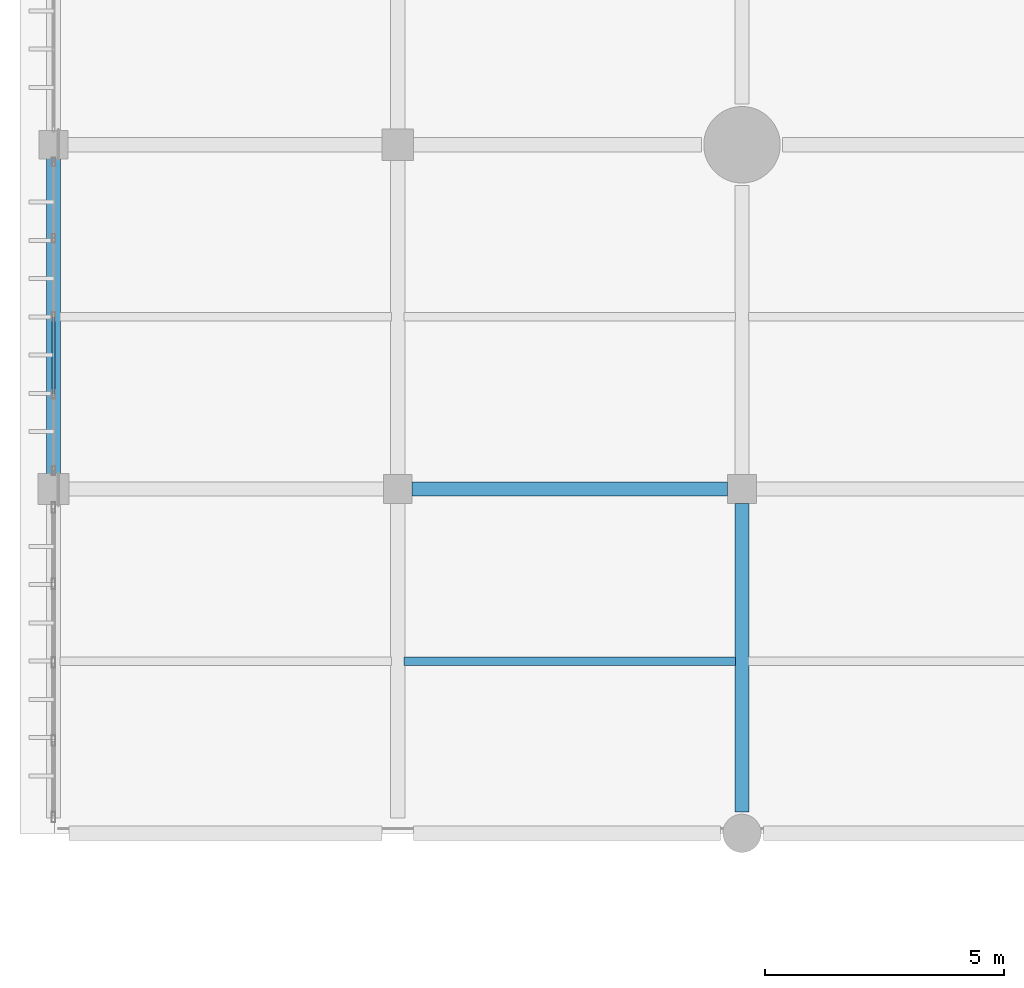
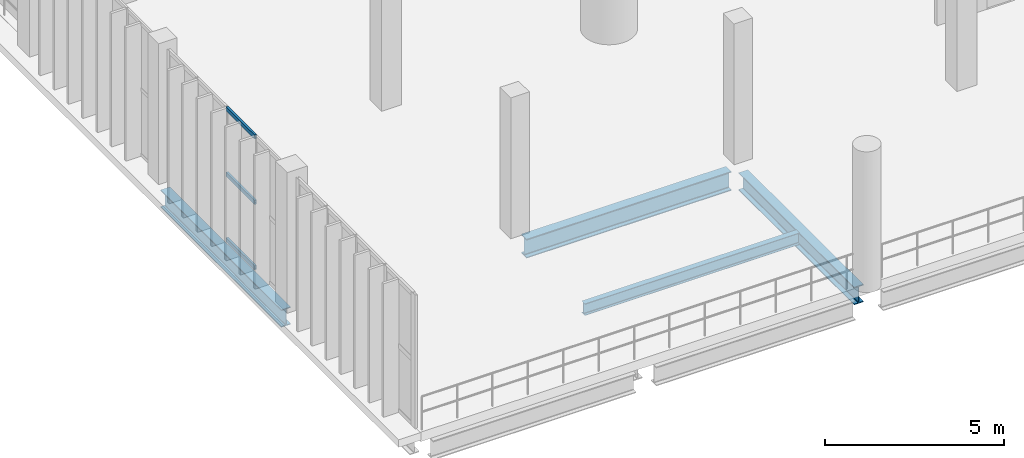
# One storey, part 6 of 105: 4 beams, 3 members, 1 element without a shape of its own.
"""IFC4 building model written with IfcOpenShell, lengths in metres."""

from ifc_helpers import new_model, si_unit, direction, frame, origin, origin_2d, place, context, subcontext, project, spatial, hollow_rectangle, i_section, extrude, material, material_profile, profile_set, type_object, element, aggregate, save


model = new_model("IFC4")

# Units and contexts
model_context = context("Model", 3, precision=1e-05, world=origin(), true_north=direction((0.0, 1.0)))
body_context = subcontext(model_context, "Body", "Model", "MODEL_VIEW")
ifc_project = project(units=[si_unit("LENGTHUNIT", "METRE"), si_unit("AREAUNIT", "SQUARE_METRE"), si_unit("VOLUMEUNIT", "CUBIC_METRE"), si_unit("PLANEANGLEUNIT", "RADIAN"), si_unit("MASSUNIT", "GRAM", prefix="KILO")], contexts=[model_context])

# Site, building, storey
site_placement = place(None, origin())
site = spatial("IfcSite", under=ifc_project, at=site_placement, CompositionType="ELEMENT")
building_placement = place(site_placement, origin())
building = spatial("IfcBuilding", under=site, at=building_placement, Name="Qandorah Velis Arena", CompositionType="ELEMENT")
storey_placement = place(building_placement, frame((0.0, 0.0, 13.800048828125)))
storey = spatial("IfcBuildingStorey", under=building, at=storey_placement, Name="L03", CompositionType="ELEMENT", Elevation=13.800048828125)

# Curtain wall, members
ifc_material_1 = material(Name="Solar-control low-E double glazing", Category="glass")
curtain_wall_type = type_object("IfcCurtainWallType", Name="ARC-CW-SYS22", PredefinedType="USERDEFINED", material=ifc_material_1)
curtain_wall_placement = place(storey_placement, origin())
curtain_wall = element("IfcCurtainWall", 1, at=curtain_wall_placement, inside=storey, type_object=curtain_wall_type, Name="Unitised curtain wall L03-022", ObjectType="UNITISED CURTAIN WALL", PredefinedType="USERDEFINED")
ifc_material_2 = material(Name="Champagne-bronze anodized aluminium 6063-T6", Category="aluminium")
ifc_material_profile_1 = material_profile(ifc_material_2, hollow_rectangle(XDim=0.06494140625, YDim=0.139892578125, WallThickness=0.0029296875, at=origin_2d()), Name="ALU TRANSOM 65x140")
ifc_profile_set_1 = profile_set([ifc_material_profile_1], Name="Champagne-bronze anodized aluminium 6063-T6")
member_type = type_object("IfcMemberType", Name="ARC-CWT-140", PredefinedType="USERDEFINED", material=ifc_profile_set_1)
member_1_placement = place(storey_placement, frame((0.0, 23.601806640625, 0.032470703125), z_axis=(0.0, 1.0, 0.0), x_axis=(-1.0, 0.0, 0.0)))
member_1 = element("IfcMember", 2, at=member_1_placement, type_object=member_type, Name="CW22 transom 2.1", ObjectType="TRANSOM", PredefinedType="USERDEFINED", context=body_context, shape_type="SweptSolid", body=[
    extrude(hollow_rectangle(XDim=0.06494140625, YDim=0.139892578125, WallThickness=0.0029296875, at=origin_2d()), origin(), (0.0, 0.0, 1.0), 1.590087890625),
])
member_2_placement = place(storey_placement, frame((0.0, 23.601806640625, 2.264892578125), z_axis=(0.0, 1.0, 0.0), x_axis=(-1.0, 0.0, 0.0)))
member_2 = element("IfcMember", 3, at=member_2_placement, type_object=member_type, Name="CW22 transom 2.2", ObjectType="TRANSOM", PredefinedType="USERDEFINED", context=body_context, shape_type="SweptSolid", body=[
    extrude(hollow_rectangle(XDim=0.06494140625, YDim=0.139892578125, WallThickness=0.0029296875, at=origin_2d()), origin(), (0.0, 0.0, 1.0), 1.590087890625),
])
member_3_placement = place(storey_placement, frame((0.0, 23.601806640625, 4.49755859375), z_axis=(0.0, 1.0, 0.0), x_axis=(-1.0, 0.0, 0.0)))
member_3 = element("IfcMember", 4, at=member_3_placement, type_object=member_type, Name="CW22 transom 2.3", ObjectType="TRANSOM", PredefinedType="USERDEFINED", context=body_context, shape_type="SweptSolid", body=[
    extrude(hollow_rectangle(XDim=0.06494140625, YDim=0.139892578125, WallThickness=0.0029296875, at=origin_2d()), origin(), (0.0, 0.0, 1.0), 1.590087890625),
])
aggregate(curtain_wall, [member_1, member_2, member_3])

# Beams
ifc_material_3 = material(Name="Steel S355", Category="steel")
ifc_material_profile_2 = material_profile(ifc_material_3, i_section(OverallWidth=0.300048828125, OverallDepth=0.60009765625, WebThickness=0.015380859375, FlangeThickness=0.030029296875, FilletRadius=0.027099609375, at=origin_2d()), Name="HEB 600")
ifc_profile_set_2 = profile_set([ifc_material_profile_2], Name="Steel S355")
beam_type_1 = type_object("IfcBeamType", Name="STR-BM-HEB600", PredefinedType="BEAM", material=ifc_profile_set_2)
beam_1_placement = place(storey_placement, frame((0.0, 21.89990234375, -0.6201171875), z_axis=(0.0, 1.0, 0.0), x_axis=(-1.0, 0.0, 0.0)))
element("IfcBeam", 5, at=beam_1_placement, inside=storey, type_object=beam_type_1, Name="Primary floor girder L03 Y-179", PredefinedType="BEAM", context=body_context, shape_type="SweptSolid", body=[
    extrude(i_section(OverallWidth=0.300048828125, OverallDepth=0.60009765625, WebThickness=0.015380859375, FlangeThickness=0.030029296875, FilletRadius=0.027099609375, at=origin_2d()), origin(), (0.0, 0.0, 1.0), 6.75),
])
beam_2_placement = place(storey_placement, frame((14.39990234375, 14.85009765625, -0.6201171875), z_axis=(0.0, 1.0, 0.0), x_axis=(-1.0, 0.0, 0.0)))
element("IfcBeam", 6, at=beam_2_placement, inside=storey, type_object=beam_type_1, Name="Primary floor girder L03 Y-206", PredefinedType="BEAM", context=body_context, shape_type="SweptSolid", body=[
    extrude(i_section(OverallWidth=0.300048828125, OverallDepth=0.60009765625, WebThickness=0.015380859375, FlangeThickness=0.030029296875, FilletRadius=0.027099609375, at=origin_2d()), origin(), (0.0, 0.0, 1.0), 6.449951171875),
])
ifc_material_profile_3 = material_profile(ifc_material_3, i_section(OverallWidth=0.300048828125, OverallDepth=0.64990234375, WebThickness=0.01611328125, FlangeThickness=0.031005859375, FilletRadius=0.027099609375, at=origin_2d()), Name="HEB 650")
ifc_profile_set_3 = profile_set([ifc_material_profile_3], Name="Steel S355")
beam_type_2 = type_object("IfcBeamType", Name="STR-BM-HEB650", PredefinedType="BEAM", material=ifc_profile_set_3)
beam_3_placement = place(storey_placement, frame((7.5, 21.60009765625, -0.64501953125), z_axis=(1.0, 0.0, 0.0), x_axis=(0.0, 1.0, 0.0)))
element("IfcBeam", 7, at=beam_3_placement, inside=storey, type_object=beam_type_2, Name="Primary floor girder L03 X-042", PredefinedType="BEAM", context=body_context, shape_type="SweptSolid", body=[
    extrude(i_section(OverallWidth=0.300048828125, OverallDepth=0.64990234375, WebThickness=0.01611328125, FlangeThickness=0.031005859375, FilletRadius=0.027099609375, at=origin_2d()), origin(), (0.0, 0.0, 1.0), 6.60009765625),
])
ifc_material_profile_4 = material_profile(ifc_material_3, i_section(OverallWidth=0.179931640625, OverallDepth=0.39990234375, WebThickness=0.008544921875, FlangeThickness=0.013427734375, FilletRadius=0.02099609375, at=origin_2d()), Name="IPE 400")
ifc_profile_set_4 = profile_set([ifc_material_profile_4], Name="Steel S355")
beam_type_3 = type_object("IfcBeamType", Name="STR-JST-IPE400", PredefinedType="JOIST", material=ifc_profile_set_4)
beam_4_placement = place(storey_placement, frame((7.3349609375, 18.0, -0.52001953125), z_axis=(1.0, 0.0, 0.0), x_axis=(0.0, 1.0, 0.0)))
element("IfcBeam", 8, at=beam_4_placement, inside=storey, type_object=beam_type_3, Name="Secondary floor joist L03-011", PredefinedType="JOIST", context=body_context, shape_type="SweptSolid", body=[
    extrude(i_section(OverallWidth=0.179931640625, OverallDepth=0.39990234375, WebThickness=0.008544921875, FlangeThickness=0.013427734375, FilletRadius=0.02099609375, at=origin_2d()), origin(), (0.0, 0.0, 1.0), 6.929931640625),
])

save(model, "model.ifc")
